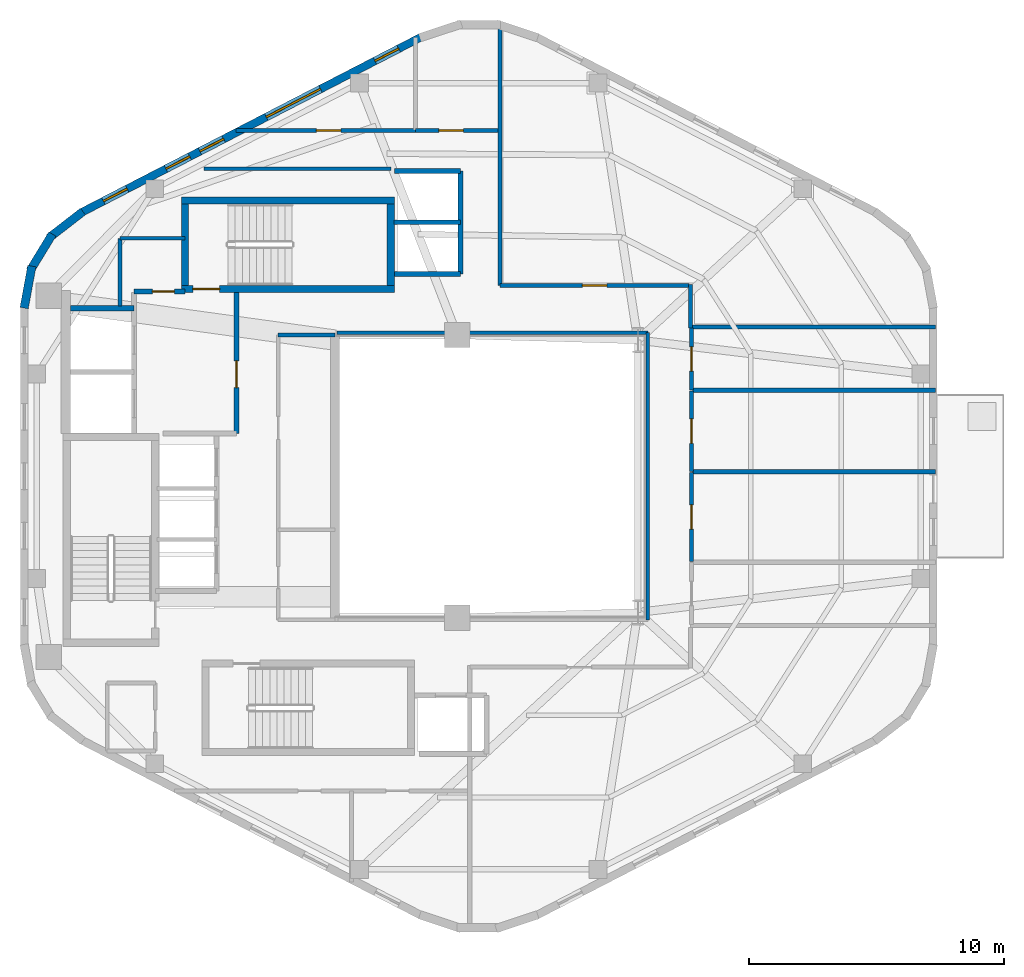
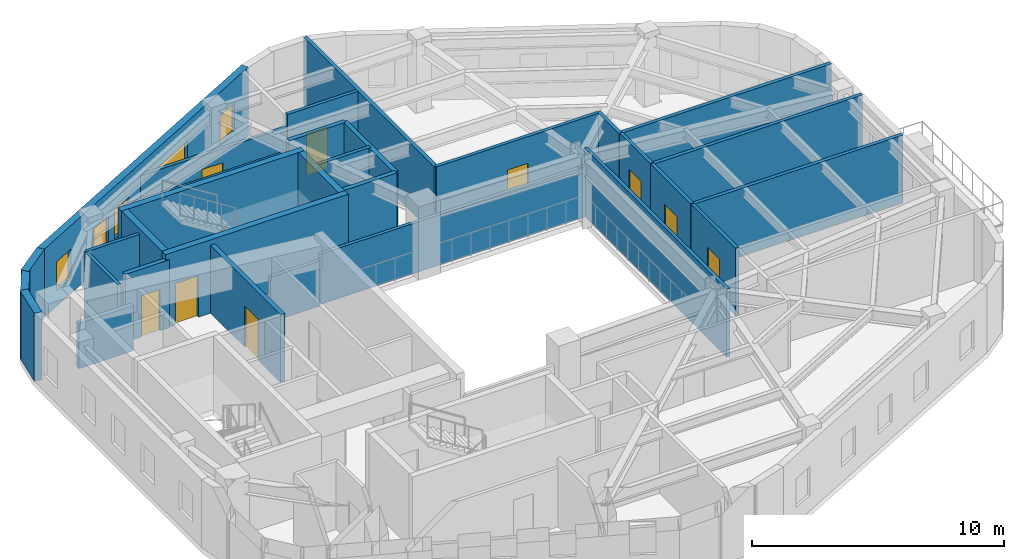
# One storey, part 4 of 7: 32 walls, 9 doors, 5 windows, 14 openings.
"""IFC4 building model written with IfcOpenShell, lengths in metres."""

from ifc_helpers import new_model, si_unit, direction, frame, frame_2d, origin, place, context, subcontext, project, spatial, rectangle, extrude, material, layer, layer_set, type_object, element, fill, save


model = new_model("IFC4")

# Units and contexts
model_context = context("Model", 3, precision=1e-05, world=origin(), true_north=direction((0.0, 1.0)))
body_context = subcontext(model_context, "Body", "Model", "MODEL_VIEW")
ifc_project = project(units=[si_unit("LENGTHUNIT", "METRE"), si_unit("AREAUNIT", "SQUARE_METRE"), si_unit("VOLUMEUNIT", "CUBIC_METRE"), si_unit("PLANEANGLEUNIT", "RADIAN"), si_unit("MASSUNIT", "GRAM", prefix="KILO"), si_unit("THERMODYNAMICTEMPERATUREUNIT", "KELVIN"), si_unit("POWERUNIT", "WATT")], contexts=[model_context])

# Site, building, storey
site_placement = place(None, origin())
site = spatial("IfcSite", under=ifc_project, at=site_placement, CompositionType="ELEMENT")
building_placement = place(site_placement, origin())
building = spatial("IfcBuilding", under=site, at=building_placement, Name="Skarre Station Tower", CompositionType="ELEMENT")
storey_placement = place(building_placement, frame((0.0, 0.0, 256.10009765625)))
storey = spatial("IfcBuildingStorey", under=building, at=storey_placement, Name="L70", CompositionType="ELEMENT", Elevation=256.10009765625)

# Walls
ifc_material_1 = material(Name="Acoustic Steel-Stud Gypsum Partition", Category="steel")
ifc_layer_1 = layer(ifc_material_1, 0.14990234375, Name="Acoustic Steel-Stud Gypsum Partition")
ifc_layer_set_1 = layer_set([ifc_layer_1], Name="Acoustic Steel-Stud Gypsum Partition")
wall_type_1 = type_object("IfcWallType", Name="Fire-Rated Corridor Acoustic Partition 150", PredefinedType="PARTITIONING", material=ifc_layer_set_1)
wall_1_placement = place(storey_placement, frame((27.550048828125, 29.550048828125, 0.0), z_axis=(0.0, 0.0, 1.0), x_axis=(-1.0, 0.0, 0.0)))
element("IfcWall", 1, at=wall_1_placement, inside=storey, type_object=wall_type_1, Name="L70 Interior Partition WL-PT-L70-RC2-N", PredefinedType="PARTITIONING", context=body_context, shape_type="SweptSolid", body=[
    extrude(rectangle(XDim=2.22998046875, YDim=0.14990234375, at=frame_2d((1.114990234375, 0.0))), origin(), (0.0, 0.0, 1.0), 2.18994140625),
])
wall_2_placement = place(storey_placement, frame((19.10009765625, 33.35009765625, 0.0), z_axis=(0.0, 0.0, 1.0), x_axis=(0.0, -1.0, 0.0)))
element("IfcWall", 2, at=wall_2_placement, inside=storey, type_object=wall_type_1, Name="L70 Interior Partition WL-PT-L70-CNW-W", PredefinedType="PARTITIONING", context=body_context, shape_type="SweptSolid", body=[
    extrude(rectangle(XDim=2.655029296875, YDim=0.14990234375, at=frame_2d((1.32763671875, 0.0))), origin(), (0.0, 0.0, 1.0), 3.289794921875),
])
wall_3_placement = place(storey_placement, frame((21.659912109375, 33.35009765625, 0.0), z_axis=(0.0, 0.0, 1.0), x_axis=(-1.0, 0.0, 0.0)))
element("IfcWall", 3, at=wall_3_placement, inside=storey, type_object=wall_type_1, Name="L70 Interior Partition WL-PT-L70-CNW-N1", PredefinedType="PARTITIONING", context=body_context, shape_type="SweptSolid", body=[
    extrude(rectangle(XDim=2.559814453125, YDim=0.14990234375, at=frame_2d((1.27978515625, 0.0))), origin(), (0.0, 0.0, 1.0), 3.289794921875),
])
wall_4_placement = place(storey_placement, frame((39.840087890625, 29.639892578125, 0.0), z_axis=(0.0, 0.0, 1.0), x_axis=(-1.0, 0.0, 0.0)))
element("IfcWall", 4, at=wall_4_placement, inside=storey, type_object=wall_type_1, Name="L70 Interior Partition WL-PT-L70-ATRW-N", PredefinedType="PARTITIONING", context=body_context, shape_type="SweptSolid", body=[
    extrude(rectangle(XDim=12.203125, YDim=0.14990234375, at=frame_2d((6.1015625, 0.0))), origin(), (0.0, 0.0, 1.0), 2.430908203125),
])
wall_5_placement = place(storey_placement, frame((39.840087890625, 18.360107421875, 0.0), z_axis=(0.0, 0.0, 1.0), x_axis=(0.0, 1.0, 0.0)))
element("IfcWall", 5, at=wall_5_placement, inside=storey, type_object=wall_type_1, Name="L70 Interior Partition WL-PT-L70-ATRW-E", PredefinedType="PARTITIONING", context=body_context, shape_type="SweptSolid", body=[
    extrude(rectangle(XDim=11.27978515625, YDim=0.14990234375, at=frame_2d((5.639892578125, 0.0))), origin(), (0.0, 0.0, 1.0), 3.289794921875),
])

# Wall, opening, door
wall_6_placement = place(storey_placement, frame((30.7080078125, 37.580078125, 0.0), z_axis=(0.0, 0.0, 1.0), x_axis=(-1.0, 0.0, 0.0)))
wall_6 = element("IfcWall", 6, at=wall_6_placement, inside=storey, type_object=wall_type_1, Name="L70 Interior Partition WL-PT-L70-NWW1-CW", PredefinedType="PARTITIONING", context=body_context, shape_type="SweptSolid", body=[
    extrude(rectangle(XDim=7.0458984375, YDim=0.14990234375, at=frame_2d((3.52294921875, 0.0))), origin(), (0.0, 0.0, 1.0), 2.681884765625),
])
opening_1_placement = place(wall_6_placement, frame((2.925048828125, 0.0, 0.0)))
opening_1 = element("IfcOpeningElement", 7, at=opening_1_placement, cuts=wall_6, Name="Opening DR-FD60", PredefinedType="OPENING", context=body_context, shape_type="SweptSolid", body=[
    extrude(rectangle(XDim=0.9599609375, YDim=2.0, at=frame_2d((0.47998046875, 1.0))), frame((0.0, 0.0849609375, 0.0), z_axis=(0.0, -1.0, 0.0), x_axis=(1.0, 0.0, 0.0)), (0.0, 0.0, 1.0), 0.169921875),
])
ifc_material_2 = material(Name="Nordic White-Oak Veneer Solid-Core Fire Leaf", Category="wood")
door_type_1 = type_object("IfcDoorType", Name="Corridor Suite Entry Fire Door FD60 960x2150", OperationType="SINGLE_SWING_LEFT", PredefinedType="DOOR", material=ifc_material_2)
door_1_placement = place(opening_1_placement, origin())
door_1 = element("IfcDoor", 8, at=door_1_placement, inside=storey, type_object=door_type_1, Name="L70 NWW1 Entry Door", OperationType="SINGLE_SWING_LEFT", OverallHeight=2.0, OverallWidth=0.9599609375, PredefinedType="DOOR", context=body_context, shape_type="SweptSolid", body=[
    extrude(rectangle(XDim=0.9599609375, YDim=2.0, at=frame_2d((0.47998046875, 1.0))), frame((0.0, 0.02490234375, 0.0), z_axis=(0.0, -1.0, 0.0), x_axis=(1.0, 0.0, 0.0)), (0.0, 0.0, 1.0), 0.050048828125),
])
fill(opening_1, door_1)

wall_7_placement = place(storey_placement, frame((33.9619140625, 37.580078125, 0.0), z_axis=(0.0, 0.0, 1.0), x_axis=(-1.0, 0.0, 0.0)))
wall_7 = element("IfcWall", 9, at=wall_7_placement, inside=storey, type_object=wall_type_1, Name="L70 Interior Partition WL-PT-L70-NWW2-CW", PredefinedType="PARTITIONING", context=body_context, shape_type="SweptSolid", body=[
    extrude(rectangle(XDim=3.243896484375, YDim=0.14990234375, at=frame_2d((1.6220703125, 0.0))), origin(), (0.0, 0.0, 1.0), 3.289794921875),
])
opening_2_placement = place(wall_7_placement, frame((1.366943359375, 0.0, 0.0)))
opening_2 = element("IfcOpeningElement", 10, at=opening_2_placement, cuts=wall_7, Name="Opening DR-FD60", PredefinedType="OPENING", context=body_context, shape_type="SweptSolid", body=[
    extrude(rectangle(XDim=0.9599609375, YDim=2.0, at=frame_2d((0.47998046875, 1.0))), frame((0.0, 0.0849609375, 0.0), z_axis=(0.0, -1.0, 0.0), x_axis=(1.0, 0.0, 0.0)), (0.0, 0.0, 1.0), 0.169921875),
])
door_2_placement = place(opening_2_placement, origin())
door_2 = element("IfcDoor", 11, at=door_2_placement, inside=storey, type_object=door_type_1, Name="L70 NWW2 Entry Door", OperationType="SINGLE_SWING_LEFT", OverallHeight=2.0, OverallWidth=0.9599609375, PredefinedType="DOOR", context=body_context, shape_type="SweptSolid", body=[
    extrude(rectangle(XDim=0.9599609375, YDim=2.0, at=frame_2d((0.47998046875, 1.0))), frame((0.0, 0.02490234375, 0.0), z_axis=(0.0, -1.0, 0.0), x_axis=(1.0, 0.0, 0.0)), (0.0, 0.0, 1.0), 0.050048828125),
])
fill(opening_2, door_2)

# Wall
wall_8_placement = place(storey_placement, frame((41.52001953125, 29.820068359375, 0.0), z_axis=(0.0, 0.0, 1.0), x_axis=(0.0, 1.0, 0.0)))
element("IfcWall", 12, at=wall_8_placement, inside=storey, type_object=wall_type_1, Name="L70 Interior Partition WL-PT-L70-CORR-NER", PredefinedType="PARTITIONING", context=body_context, shape_type="SweptSolid", body=[
    extrude(rectangle(XDim=1.719970703125, YDim=0.14990234375, at=frame_2d((0.85986328125, 0.0))), origin(), (0.0, 0.0, 1.0), 3.289794921875),
])

# Wall, opening, door
wall_9_placement = place(storey_placement, frame((41.4599609375, 31.5, 0.0), z_axis=(0.0, 0.0, 1.0), x_axis=(-1.0, 0.0, 0.0)))
wall_9 = element("IfcWall", 13, at=wall_9_placement, inside=storey, type_object=wall_type_1, Name="L70 Interior Partition WL-PT-L70-NW1-CW", PredefinedType="PARTITIONING", context=body_context, shape_type="SweptSolid", body=[
    extrude(rectangle(XDim=7.419921875, YDim=0.14990234375, at=frame_2d((3.7099609375, 0.0))), origin(), (0.0, 0.0, 1.0), 3.289794921875),
])
opening_3_placement = place(wall_9_placement, frame((3.22998046875, 0.0, 0.0)))
opening_3 = element("IfcOpeningElement", 14, at=opening_3_placement, cuts=wall_9, Name="Opening DR-FD60", PredefinedType="OPENING", context=body_context, shape_type="SweptSolid", body=[
    extrude(rectangle(XDim=0.9599609375, YDim=2.0, at=frame_2d((0.47998046875, 1.0))), frame((0.0, 0.0849609375, 0.0), z_axis=(0.0, -1.0, 0.0), x_axis=(1.0, 0.0, 0.0)), (0.0, 0.0, 1.0), 0.169921875),
])
door_3_placement = place(opening_3_placement, origin())
door_3 = element("IfcDoor", 15, at=door_3_placement, inside=storey, type_object=door_type_1, Name="L70 NW1 Entry Door", OperationType="SINGLE_SWING_LEFT", OverallHeight=2.0, OverallWidth=0.9599609375, PredefinedType="DOOR", context=body_context, shape_type="SweptSolid", body=[
    extrude(rectangle(XDim=0.9599609375, YDim=2.0, at=frame_2d((0.47998046875, 1.0))), frame((0.0, 0.02490234375, 0.0), z_axis=(0.0, -1.0, 0.0), x_axis=(1.0, 0.0, 0.0)), (0.0, 0.0, 1.0), 0.050048828125),
])
fill(opening_3, door_3)

wall_10_placement = place(storey_placement, frame((41.56005859375, 20.64208984375, 0.0), z_axis=(0.0, 0.0, 1.0), x_axis=(0.0, 1.0, 0.0)))
wall_10 = element("IfcWall", 16, at=wall_10_placement, inside=storey, type_object=wall_type_1, Name="L70 Interior Partition WL-PT-L70-EW2-CW", PredefinedType="PARTITIONING", context=body_context, shape_type="SweptSolid", body=[
    extrude(rectangle(XDim=3.514892578125, YDim=0.14990234375, at=frame_2d((1.75732421875, 0.0))), origin(), (0.0, 0.0, 1.0), 3.289794921875),
])
opening_4_placement = place(wall_10_placement, frame((1.278076171875, 0.0, 0.0)))
opening_4 = element("IfcOpeningElement", 17, at=opening_4_placement, cuts=wall_10, Name="Opening DR-FD60", PredefinedType="OPENING", context=body_context, shape_type="SweptSolid", body=[
    extrude(rectangle(XDim=0.9599609375, YDim=2.0, at=frame_2d((0.47998046875, 1.0))), frame((0.0, 0.0849609375, 0.0), z_axis=(0.0, -1.0, 0.0), x_axis=(1.0, 0.0, 0.0)), (0.0, 0.0, 1.0), 0.169921875),
])
door_4_placement = place(opening_4_placement, origin())
door_4 = element("IfcDoor", 18, at=door_4_placement, inside=storey, type_object=door_type_1, Name="L70 EW2 Entry Door", OperationType="SINGLE_SWING_LEFT", OverallHeight=2.0, OverallWidth=0.9599609375, PredefinedType="DOOR", context=body_context, shape_type="SweptSolid", body=[
    extrude(rectangle(XDim=0.9599609375, YDim=2.0, at=frame_2d((0.47998046875, 1.0))), frame((0.0, 0.02490234375, 0.0), z_axis=(0.0, -1.0, 0.0), x_axis=(1.0, 0.0, 0.0)), (0.0, 0.0, 1.0), 0.050048828125),
])
fill(opening_4, door_4)

wall_11_placement = place(storey_placement, frame((41.56005859375, 24.193115234375, 0.0), z_axis=(0.0, 0.0, 1.0), x_axis=(0.0, 1.0, 0.0)))
wall_11 = element("IfcWall", 19, at=wall_11_placement, inside=storey, type_object=wall_type_1, Name="L70 Interior Partition WL-PT-L70-EW3-CW", PredefinedType="PARTITIONING", context=body_context, shape_type="SweptSolid", body=[
    extrude(rectangle(XDim=3.164794921875, YDim=0.14990234375, at=frame_2d((1.58251953125, 0.0))), origin(), (0.0, 0.0, 1.0), 3.289794921875),
])
opening_5_placement = place(wall_11_placement, frame((1.10302734375, 0.0, 0.0)))
opening_5 = element("IfcOpeningElement", 20, at=opening_5_placement, cuts=wall_11, Name="Opening DR-FD60", PredefinedType="OPENING", context=body_context, shape_type="SweptSolid", body=[
    extrude(rectangle(XDim=0.9599609375, YDim=2.0, at=frame_2d((0.47998046875, 1.0))), frame((0.0, 0.0849609375, 0.0), z_axis=(0.0, -1.0, 0.0), x_axis=(1.0, 0.0, 0.0)), (0.0, 0.0, 1.0), 0.169921875),
])
door_5_placement = place(opening_5_placement, origin())
door_5 = element("IfcDoor", 21, at=door_5_placement, inside=storey, type_object=door_type_1, Name="L70 EW3 Entry Door", OperationType="SINGLE_SWING_LEFT", OverallHeight=2.0, OverallWidth=0.9599609375, PredefinedType="DOOR", context=body_context, shape_type="SweptSolid", body=[
    extrude(rectangle(XDim=0.9599609375, YDim=2.0, at=frame_2d((0.47998046875, 1.0))), frame((0.0, 0.02490234375, 0.0), z_axis=(0.0, -1.0, 0.0), x_axis=(1.0, 0.0, 0.0)), (0.0, 0.0, 1.0), 0.050048828125),
])
fill(opening_5, door_5)

wall_12_placement = place(storey_placement, frame((41.56005859375, 27.39404296875, 0.0), z_axis=(0.0, 0.0, 1.0), x_axis=(0.0, 1.0, 0.0)))
wall_12 = element("IfcWall", 22, at=wall_12_placement, inside=storey, type_object=wall_type_1, Name="L70 Interior Partition WL-PT-L70-EW4-CW", PredefinedType="PARTITIONING", context=body_context, shape_type="SweptSolid", body=[
    extrude(rectangle(XDim=2.426025390625, YDim=0.14990234375, at=frame_2d((1.212890625, 0.0))), origin(), (0.0, 0.0, 1.0), 3.289794921875),
])
opening_6_placement = place(wall_12_placement, frame((0.73291015625, 0.0, 0.0)))
opening_6 = element("IfcOpeningElement", 23, at=opening_6_placement, cuts=wall_12, Name="Opening DR-FD60", PredefinedType="OPENING", context=body_context, shape_type="SweptSolid", body=[
    extrude(rectangle(XDim=0.9599609375, YDim=2.0, at=frame_2d((0.47998046875, 1.0))), frame((0.0, 0.0849609375, 0.0), z_axis=(0.0, -1.0, 0.0), x_axis=(1.0, 0.0, 0.0)), (0.0, 0.0, 1.0), 0.169921875),
])
door_6_placement = place(opening_6_placement, origin())
door_6 = element("IfcDoor", 24, at=door_6_placement, inside=storey, type_object=door_type_1, Name="L70 EW4 Entry Door", OperationType="SINGLE_SWING_LEFT", OverallHeight=2.0, OverallWidth=0.9599609375, PredefinedType="DOOR", context=body_context, shape_type="SweptSolid", body=[
    extrude(rectangle(XDim=0.9599609375, YDim=2.0, at=frame_2d((0.47998046875, 1.0))), frame((0.0, 0.02490234375, 0.0), z_axis=(0.0, -1.0, 0.0), x_axis=(1.0, 0.0, 0.0)), (0.0, 0.0, 1.0), 0.050048828125),
])
fill(opening_6, door_6)

# Walls
wall_13_placement = place(storey_placement, frame((29.7529296875, 36.080078125, 0.0), z_axis=(0.0, 0.0, 1.0), x_axis=(-1.0, 0.0, 0.0)))
element("IfcWall", 25, at=wall_13_placement, inside=storey, type_object=wall_type_1, Name="L70 Interior Partition WL-PT-L70-CSEAL-1", PredefinedType="PARTITIONING", context=body_context, shape_type="SweptSolid", body=[
    extrude(rectangle(XDim=7.35302734375, YDim=0.14990234375, at=frame_2d((3.676513671875, 0.0))), origin(), (0.0, 0.0, 1.0), 2.681884765625),
])
ifc_material_3 = material(Name="Precast concrete C45/55", Category="concrete")
ifc_layer_2 = layer(ifc_material_3, 0.330078125, Name="Precast concrete C45/55")
ifc_layer_set_2 = layer_set([ifc_layer_2], Name="Precast concrete C45/55")
wall_type_2 = type_object("IfcWallType", Name="Nordic Rounded Corner Precast Wall 330", PredefinedType="STANDARD", material=ifc_layer_set_2)
wall_14_placement = place(storey_placement, frame((15.337890625, 30.60791015625, 0.0), z_axis=(0.0, 0.0, 1.0), x_axis=(0.180832605401, 0.983513888475, 0.0)))
element("IfcWall", 26, at=wall_14_placement, inside=storey, type_object=wall_type_2, Name="L70 Rounded Corner Precast Wall F2-1", PredefinedType="STANDARD", context=body_context, shape_type="SweptSolid", body=[
    extrude(rectangle(XDim=1.6767578125, YDim=0.330078125, at=frame_2d((0.83837890625, 0.0))), origin(), (0.0, 0.0, 1.0), 3.289794921875),
])
wall_15_placement = place(storey_placement, frame((15.573974609375, 32.08203125, 0.0), z_axis=(0.0, 0.0, 1.0), x_axis=(0.520325409202, 0.853968072318, 0.0)))
element("IfcWall", 27, at=wall_15_placement, inside=storey, type_object=wall_type_2, Name="L70 Rounded Corner Precast Wall F2-2", PredefinedType="STANDARD", context=body_context, shape_type="SweptSolid", body=[
    extrude(rectangle(XDim=1.677978515625, YDim=0.330078125, at=frame_2d((0.8388671875, 0.0))), origin(), (0.0, 0.0, 1.0), 3.289794921875),
])
wall_16_placement = place(storey_placement, frame((16.322021484375, 33.375, 0.0), z_axis=(0.0, 0.0, 1.0), x_axis=(0.790691856293, 0.61221433207, 0.0)))
element("IfcWall", 28, at=wall_16_placement, inside=storey, type_object=wall_type_2, Name="L70 Rounded Corner Precast Wall F2-3", PredefinedType="STANDARD", context=body_context, shape_type="SweptSolid", body=[
    extrude(rectangle(XDim=1.67578125, YDim=0.330078125, at=frame_2d((0.837890625, 0.0))), origin(), (0.0, 0.0, 1.0), 3.289794921875),
])

# Wall, openings, windows
ifc_layer_3 = layer(ifc_material_3, 0.31005859375, Name="Precast concrete C45/55")
ifc_layer_set_3 = layer_set([ifc_layer_3], Name="Precast concrete C45/55")
wall_type_3 = type_object("IfcWallType", Name="Nordic Upper-Zone Precast Facet Wall 310", PredefinedType="STANDARD", material=ifc_layer_set_3)
wall_17_placement = place(storey_placement, frame((17.56591796875, 34.35400390625, 0.0), z_axis=(0.0, 0.0, 1.0), x_axis=(0.888581481622, 0.458718814218, 0.0)))
wall_17 = element("IfcWall", 29, at=wall_17_placement, inside=storey, type_object=wall_type_3, Name="L70 Facet 1 Nordic Precast Masonry Wall", PredefinedType="STANDARD", context=body_context, shape_type="SweptSolid", body=[
    extrude(rectangle(XDim=15.076904296875, YDim=0.31005859375, at=frame_2d((7.53857421875, 0.0))), origin(), (0.0, 0.0, 1.0), 3.289794921875),
])
opening_7_placement = place(wall_17_placement, frame((0.998046875, 0.0, 0.75)))
opening_7 = element("IfcOpeningElement", 30, at=opening_7_placement, cuts=wall_17, Name="Opening WN-SLT", PredefinedType="OPENING", context=body_context, shape_type="SweptSolid", body=[
    extrude(rectangle(XDim=1.050048828125, YDim=1.39990234375, at=frame_2d((0.52490234375, 0.699951171875))), frame((0.0, 0.1650390625, 0.0), z_axis=(0.0, -1.0, 0.0), x_axis=(1.0, 0.0, 0.0)), (0.0, 0.0, 1.0), 0.330078125),
])
opening_8_placement = place(wall_17_placement, frame((3.762939453125, 0.0, 0.75)))
opening_8 = element("IfcOpeningElement", 31, at=opening_8_placement, cuts=wall_17, Name="Opening WN-SLT", PredefinedType="OPENING", context=body_context, shape_type="SweptSolid", body=[
    extrude(rectangle(XDim=1.050048828125, YDim=1.39990234375, at=frame_2d((0.52490234375, 0.699951171875))), frame((0.0, 0.1650390625, 0.0), z_axis=(0.0, -1.0, 0.0), x_axis=(1.0, 0.0, 0.0)), (0.0, 0.0, 1.0), 0.330078125),
])
opening_9_placement = place(wall_17_placement, frame((5.264892578125, 0.0, 0.75)))
opening_9 = element("IfcOpeningElement", 32, at=opening_9_placement, cuts=wall_17, Name="Opening WN-SLT", PredefinedType="OPENING", context=body_context, shape_type="SweptSolid", body=[
    extrude(rectangle(XDim=1.050048828125, YDim=1.39990234375, at=frame_2d((0.52490234375, 0.699951171875))), frame((0.0, 0.1650390625, 0.0), z_axis=(0.0, -1.0, 0.0), x_axis=(1.0, 0.0, 0.0)), (0.0, 0.0, 1.0), 0.330078125),
])
opening_10_placement = place(wall_17_placement, frame((8.197021484375, 0.0, 0.75)))
opening_10 = element("IfcOpeningElement", 33, at=opening_10_placement, cuts=wall_17, Name="Opening WN-Z4A", PredefinedType="OPENING", context=body_context, shape_type="SweptSolid", body=[
    extrude(rectangle(XDim=2.39990234375, YDim=1.60009765625, at=frame_2d((1.199951171875, 0.800048828125))), frame((0.0, 0.1650390625, 0.0), z_axis=(0.0, -1.0, 0.0), x_axis=(1.0, 0.0, 0.0)), (0.0, 0.0, 1.0), 0.330078125),
])
opening_11_placement = place(wall_17_placement, frame((13.00390625, 0.0, 0.75)))
opening_11 = element("IfcOpeningElement", 34, at=opening_11_placement, cuts=wall_17, Name="Opening WN-SLT", PredefinedType="OPENING", context=body_context, shape_type="SweptSolid", body=[
    extrude(rectangle(XDim=1.050048828125, YDim=1.39990234375, at=frame_2d((0.52490234375, 0.699951171875))), frame((0.0, 0.1650390625, 0.0), z_axis=(0.0, -1.0, 0.0), x_axis=(1.0, 0.0, 0.0)), (0.0, 0.0, 1.0), 0.330078125),
])
ifc_material_4 = material(Name="Low-Iron Triple Glazing with Bronze Anodized Frame", Category="glass")
window_type_1 = type_object("IfcWindowType", Name="Nordic Corner Slot Window 1050x1400", PartitioningType="SINGLE_PANEL", PredefinedType="WINDOW", material=ifc_material_4)
window_1_placement = place(opening_7_placement, origin())
window_1 = element("IfcWindow", 35, at=window_1_placement, inside=storey, type_object=window_type_1, Name="L70 Facade Window WL-FAC-L70-F1-1", OverallHeight=1.39990234375, OverallWidth=1.050048828125, PartitioningType="SINGLE_PANEL", PredefinedType="WINDOW", context=body_context, shape_type="SweptSolid", body=[
    extrude(rectangle(XDim=1.050048828125, YDim=1.39990234375, at=frame_2d((0.52490234375, 0.699951171875))), frame((0.0, 0.030029296875, 0.0), z_axis=(0.0, -1.0, 0.0), x_axis=(1.0, 0.0, 0.0)), (0.0, 0.0, 1.0), 0.06005859375),
])
fill(opening_7, window_1)
window_2_placement = place(opening_8_placement, origin())
window_2 = element("IfcWindow", 36, at=window_2_placement, inside=storey, type_object=window_type_1, Name="L70 Facade Window WL-FAC-L70-F1-2", OverallHeight=1.39990234375, OverallWidth=1.050048828125, PartitioningType="SINGLE_PANEL", PredefinedType="WINDOW", context=body_context, shape_type="SweptSolid", body=[
    extrude(rectangle(XDim=1.050048828125, YDim=1.39990234375, at=frame_2d((0.52490234375, 0.699951171875))), frame((0.0, 0.030029296875, 0.0), z_axis=(0.0, -1.0, 0.0), x_axis=(1.0, 0.0, 0.0)), (0.0, 0.0, 1.0), 0.06005859375),
])
fill(opening_8, window_2)
window_3_placement = place(opening_9_placement, origin())
window_3 = element("IfcWindow", 37, at=window_3_placement, inside=storey, type_object=window_type_1, Name="L70 Facade Window WL-FAC-L70-F1-3", OverallHeight=1.39990234375, OverallWidth=1.050048828125, PartitioningType="SINGLE_PANEL", PredefinedType="WINDOW", context=body_context, shape_type="SweptSolid", body=[
    extrude(rectangle(XDim=1.050048828125, YDim=1.39990234375, at=frame_2d((0.52490234375, 0.699951171875))), frame((0.0, 0.030029296875, 0.0), z_axis=(0.0, -1.0, 0.0), x_axis=(1.0, 0.0, 0.0)), (0.0, 0.0, 1.0), 0.06005859375),
])
fill(opening_9, window_3)
window_4_placement = place(opening_11_placement, origin())
window_4 = element("IfcWindow", 38, at=window_4_placement, inside=storey, type_object=window_type_1, Name="L70 Facade Window WL-FAC-L70-F1-5", OverallHeight=1.39990234375, OverallWidth=1.050048828125, PartitioningType="SINGLE_PANEL", PredefinedType="WINDOW", context=body_context, shape_type="SweptSolid", body=[
    extrude(rectangle(XDim=1.050048828125, YDim=1.39990234375, at=frame_2d((0.52490234375, 0.699951171875))), frame((0.0, 0.030029296875, 0.0), z_axis=(0.0, -1.0, 0.0), x_axis=(1.0, 0.0, 0.0)), (0.0, 0.0, 1.0), 0.06005859375),
])
fill(opening_11, window_4)
window_type_2 = type_object("IfcWindowType", Name="Nordic Crown Panorama Window 2400x1600", PartitioningType="SINGLE_PANEL", PredefinedType="WINDOW", material=ifc_material_4)
window_5_placement = place(opening_10_placement, origin())
window_5 = element("IfcWindow", 39, at=window_5_placement, inside=storey, type_object=window_type_2, Name="L70 Facade Window WL-FAC-L70-F1-4", OverallHeight=1.60009765625, OverallWidth=2.39990234375, PartitioningType="SINGLE_PANEL", PredefinedType="WINDOW", context=body_context, shape_type="SweptSolid", body=[
    extrude(rectangle(XDim=2.39990234375, YDim=1.60009765625, at=frame_2d((1.199951171875, 0.800048828125))), frame((0.0, 0.030029296875, 0.0), z_axis=(0.0, -1.0, 0.0), x_axis=(1.0, 0.0, 0.0)), (0.0, 0.0, 1.0), 0.06005859375),
])
fill(opening_10, window_5)

# Wall, opening, door
ifc_material_5 = material(Name="Concrete C50/60", Category="concrete")
ifc_layer_4 = layer(ifc_material_5, 0.280029296875, Name="Concrete C50/60")
ifc_layer_set_4 = layer_set([ifc_layer_4], Name="Concrete C50/60")
wall_type_4 = type_object("IfcWallType", Name="RC Core Shear Wall 280", PredefinedType="SHEAR", material=ifc_layer_set_4)
wall_18_placement = place(storey_placement, frame((21.52001953125, 31.360107421875, 0.0), z_axis=(0.0, 0.0, 1.0), x_axis=(1.0, 0.0, 0.0)))
wall_18 = element("IfcWall", 40, at=wall_18_placement, inside=storey, type_object=wall_type_4, Name="L70 Stair ST-3 South Shear Wall", PredefinedType="SHEAR", context=body_context, shape_type="SweptSolid", body=[
    extrude(rectangle(XDim=8.35986328125, YDim=0.280029296875, at=frame_2d((4.179931640625, 0.0))), origin(), (0.0, 0.0, 1.0), 3.5498046875),
])
opening_12_placement = place(wall_18_placement, frame((0.449951171875, 0.0, 0.0)))
opening_12 = element("IfcOpeningElement", 41, at=opening_12_placement, cuts=wall_18, Name="Opening DR-FD90", PredefinedType="OPENING", context=body_context, shape_type="SweptSolid", body=[
    extrude(rectangle(XDim=1.050048828125, YDim=2.0, at=frame_2d((0.52490234375, 1.0))), frame((0.0, 0.14990234375, 0.0), z_axis=(0.0, -1.0, 0.0), x_axis=(1.0, 0.0, 0.0)), (0.0, 0.0, 1.0), 0.300048828125),
])
ifc_material_6 = material(Name="Fire-Rated Insulated Steel Frame & Timber Core Leaf", Category="steel")
door_type_2 = type_object("IfcDoorType", Name="Stair & FSAE Lobby Fire Door FD90 1050x2150", OperationType="SINGLE_SWING_RIGHT", PredefinedType="DOOR", material=ifc_material_6)
door_7_placement = place(opening_12_placement, origin())
door_7 = element("IfcDoor", 42, at=door_7_placement, inside=storey, type_object=door_type_2, Name="L70 Stair ST-3 & FSAE Lobby Direct Exit Door", OperationType="SINGLE_SWING_LEFT", OverallHeight=2.0, OverallWidth=1.050048828125, PredefinedType="DOOR", context=body_context, shape_type="SweptSolid", body=[
    extrude(rectangle(XDim=1.050048828125, YDim=2.0, at=frame_2d((0.52490234375, 1.0))), frame((0.0, 0.02490234375, 0.0), z_axis=(0.0, -1.0, 0.0), x_axis=(1.0, 0.0, 0.0)), (0.0, 0.0, 1.0), 0.050048828125),
])
fill(opening_12, door_7)

# Walls
wall_19_placement = place(storey_placement, frame((29.8798828125, 34.840087890625, 0.0), z_axis=(0.0, 0.0, 1.0), x_axis=(-1.0, 0.0, 0.0)))
element("IfcWall", 43, at=wall_19_placement, inside=storey, type_object=wall_type_4, Name="L70 Stair ST-3 North Shear Wall", PredefinedType="SHEAR", context=body_context, shape_type="SweptSolid", body=[
    extrude(rectangle(XDim=8.35986328125, YDim=0.280029296875, at=frame_2d((4.179931640625, 0.0))), origin(), (0.0, 0.0, 1.0), 3.5498046875),
])
for number, where, z_axis, x_axis, name in (
    (44, (21.659912109375, 34.699951171875, 0.0), (0.0, 0.0, 1.0), (0.0, -1.0, 0.0), "L70 Stair ST-3 West Shear Wall"),
    (45, (29.739990234375, 31.5, 0.0), (0.0, 0.0, 1.0), (0.0, 1.0, 0.0), "L70 Stair ST-3 East Shear Wall"),
):
    element("IfcWall", number, at=place(storey_placement, frame(where, z_axis=z_axis, x_axis=x_axis)), inside=storey, type_object=wall_type_4, Name=name, PredefinedType="SHEAR", context=body_context, shape_type="SweptSolid", body=[
        extrude(rectangle(XDim=3.199951171875, YDim=0.280029296875, at=frame_2d((1.60009765625, 0.0))), origin(), (0.0, 0.0, 1.0), 3.5498046875),
    ])

# Wall, opening, door
ifc_material_7 = material(Name="Gypsum Concrete Shaft Assembly C30/37", Category="concrete")
ifc_layer_5 = layer(ifc_material_7, 0.199951171875, Name="Gypsum Concrete Shaft Assembly C30/37")
ifc_layer_set_5 = layer_set([ifc_layer_5], Name="Gypsum Concrete Shaft Assembly C30/37")
wall_type_5 = type_object("IfcWallType", Name="Shaft & Core Fire Partition 200", PredefinedType="PARTITIONING", material=ifc_layer_set_5)
wall_20_placement = place(storey_placement, frame((23.679931640625, 25.679931640625, 0.0), z_axis=(0.0, 0.0, 1.0), x_axis=(0.0, 1.0, 0.0)))
wall_20 = element("IfcWall", 46, at=wall_20_placement, inside=storey, type_object=wall_type_5, Name="L70 Interior Partition WL-PT-L70-FSAE-E", PredefinedType="PARTITIONING", context=body_context, shape_type="SweptSolid", body=[
    extrude(rectangle(XDim=5.5400390625, YDim=0.199951171875, at=frame_2d((2.77001953125, 0.0))), origin(), (0.0, 0.0, 1.0), 3.289794921875),
])
opening_13_placement = place(wall_20_placement, frame((1.800048828125, 0.0, 0.0)))
opening_13 = element("IfcOpeningElement", 47, at=opening_13_placement, cuts=wall_20, Name="Opening DR-FD90", PredefinedType="OPENING", context=body_context, shape_type="SweptSolid", body=[
    extrude(rectangle(XDim=1.050048828125, YDim=2.0, at=frame_2d((0.52490234375, 1.0))), frame((0.0, 0.10986328125, 0.0), z_axis=(0.0, -1.0, 0.0), x_axis=(1.0, 0.0, 0.0)), (0.0, 0.0, 1.0), 0.219970703125),
])
door_8_placement = place(opening_13_placement, origin())
door_8 = element("IfcDoor", 48, at=door_8_placement, inside=storey, type_object=door_type_2, Name="L70 FSAE Lobby Fire Door", OperationType="SINGLE_SWING_RIGHT", OverallHeight=2.0, OverallWidth=1.050048828125, PredefinedType="DOOR", context=body_context, shape_type="SweptSolid", body=[
    extrude(rectangle(XDim=1.050048828125, YDim=2.0, at=frame_2d((0.52490234375, 1.0))), frame((0.0, 0.02490234375, 0.0), z_axis=(0.0, -1.0, 0.0), x_axis=(1.0, 0.0, 0.0)), (0.0, 0.0, 1.0), 0.050048828125),
])
fill(opening_13, door_8)

wall_21_placement = place(storey_placement, frame((21.659912109375, 31.260009765625, 0.0), z_axis=(0.0, 0.0, 1.0), x_axis=(-1.0, 0.0, 0.0)))
wall_21 = element("IfcWall", 49, at=wall_21_placement, inside=storey, type_object=wall_type_5, Name="L70 Interior Partition WL-PT-L70-FSAE-N", PredefinedType="PARTITIONING", context=body_context, shape_type="SweptSolid", body=[
    extrude(rectangle(XDim=2.010009765625, YDim=0.199951171875, at=frame_2d((1.0048828125, 0.0))), origin(), (0.0, 0.0, 1.0), 3.289794921875),
])
opening_14_placement = place(wall_21_placement, frame((0.419921875, 0.0, 0.0)))
opening_14 = element("IfcOpeningElement", 50, at=opening_14_placement, cuts=wall_21, Name="Opening DR-SVC86", PredefinedType="OPENING", context=body_context, shape_type="SweptSolid", body=[
    extrude(rectangle(XDim=0.860107421875, YDim=2.0, at=frame_2d((0.43017578125, 1.0))), frame((0.0, 0.10986328125, 0.0), z_axis=(0.0, -1.0, 0.0), x_axis=(1.0, 0.0, 0.0)), (0.0, 0.0, 1.0), 0.219970703125),
])
ifc_material_8 = material(Name="Powder-Coated Hollow-Metal Acoustic Fire Leaf", Category="steel")
door_type_3 = type_object("IfcDoorType", Name="Compact Riser Fire Door FD60 860x2100", OperationType="SINGLE_SWING_LEFT", PredefinedType="DOOR", material=ifc_material_8)
door_9_placement = place(opening_14_placement, origin())
door_9 = element("IfcDoor", 51, at=door_9_placement, inside=storey, type_object=door_type_3, Name="L70 Core Service Room Lobby Door", OperationType="SINGLE_SWING_LEFT", OverallHeight=2.0, OverallWidth=0.860107421875, PredefinedType="DOOR", context=body_context, shape_type="SweptSolid", body=[
    extrude(rectangle(XDim=0.860107421875, YDim=2.0, at=frame_2d((0.43017578125, 1.0))), frame((0.0, 0.02490234375, 0.0), z_axis=(0.0, -1.0, 0.0), x_axis=(1.0, 0.0, 0.0)), (0.0, 0.0, 1.0), 0.050048828125),
])
fill(opening_14, door_9)

# Walls
wall_22_placement = place(storey_placement, frame((19.64990234375, 30.60009765625, 0.0), z_axis=(0.0, 0.0, 1.0), x_axis=(-1.0, 0.0, 0.0)))
element("IfcWall", 52, at=wall_22_placement, inside=storey, type_object=wall_type_5, Name="L70 Interior Partition WL-PT-L70-FF-N", PredefinedType="PARTITIONING", context=body_context, shape_type="SweptSolid", body=[
    extrude(rectangle(XDim=2.5, YDim=0.199951171875, at=frame_2d((1.25, 0.0))), origin(), (0.0, 0.0, 1.0), 2.18994140625),
])
wall_23_placement = place(storey_placement, frame((32.47998046875, 31.949951171875, 0.0), z_axis=(0.0, 0.0, 1.0), x_axis=(0.0, 1.0, 0.0)))
element("IfcWall", 53, at=wall_23_placement, inside=storey, type_object=wall_type_5, Name="L70 Interior Partition WL-PT-L70-EX-E", PredefinedType="PARTITIONING", context=body_context, shape_type="SweptSolid", body=[
    extrude(rectangle(XDim=4.050048828125, YDim=0.199951171875, at=frame_2d((2.02490234375, 0.0))), origin(), (0.0, 0.0, 1.0), 3.289794921875),
])
for number, where, z_axis, x_axis, name in (
    (54, (29.8798828125, 36.0, 0.0), (0.0, 0.0, 1.0), (1.0, 0.0, 0.0), "L70 Interior Partition WL-PT-L70-EX-N"),
    (55, (32.47998046875, 31.949951171875, 0.0), (0.0, 0.0, 1.0), (-1.0, 0.0, 0.0), "L70 Interior Partition WL-PT-L70-EX-S"),
):
    element("IfcWall", number, at=place(storey_placement, frame(where, z_axis=z_axis, x_axis=x_axis)), inside=storey, type_object=wall_type_5, Name=name, PredefinedType="PARTITIONING", context=body_context, shape_type="SweptSolid", body=[
        extrude(rectangle(XDim=2.60009765625, YDim=0.199951171875, at=frame_2d((1.300048828125, 0.0))), origin(), (0.0, 0.0, 1.0), 3.289794921875),
    ])
wall_24_placement = place(storey_placement, frame((29.875, 33.97998046875, 0.0), z_axis=(0.0, 0.0, 1.0), x_axis=(1.0, 0.0, 0.0)))
element("IfcWall", 56, at=wall_24_placement, inside=storey, type_object=wall_type_5, Name="L70 Interior Partition WL-PT-L70-EX-DIV", PredefinedType="PARTITIONING", context=body_context, shape_type="SweptSolid", body=[
    extrude(rectangle(XDim=2.60498046875, YDim=0.159912109375, at=frame_2d((1.302490234375, 0.0))), origin(), (0.0, 0.0, 1.0), 3.289794921875),
])
ifc_layer_6 = layer(ifc_material_1, 0.1650390625, Name="Acoustic Steel-Stud Gypsum Partition")
ifc_layer_set_6 = layer_set([ifc_layer_6], Name="Acoustic Steel-Stud Gypsum Partition")
wall_type_6 = type_object("IfcWallType", Name="Suite Demising Acoustic Partition 165", PredefinedType="PARTITIONING", material=ifc_layer_set_6)
wall_25_placement = place(storey_placement, frame((34.0400390625, 31.5, 0.0), z_axis=(0.0, 0.0, 1.0), x_axis=(0.0, 1.0, 0.0)))
element("IfcWall", 57, at=wall_25_placement, inside=storey, type_object=wall_type_6, Name="L70 Interior Partition WL-PT-L70-NW-WBND", PredefinedType="PARTITIONING", context=body_context, shape_type="SweptSolid", body=[
    extrude(rectangle(XDim=10.318115234375, YDim=0.1650390625, at=frame_2d((5.1591796875, 0.0))), origin(), (0.0, 0.0, 1.0), 3.289794921875),
])
wall_26_placement = place(storey_placement, frame((41.52001953125, 29.860107421875, 0.0), z_axis=(0.0, 0.0, 1.0), x_axis=(1.0, 0.0, 0.0)))
element("IfcWall", 58, at=wall_26_placement, inside=storey, type_object=wall_type_6, Name="L70 Interior Partition WL-PT-L70-EWB-N", PredefinedType="PARTITIONING", context=body_context, shape_type="SweptSolid", body=[
    extrude(rectangle(XDim=9.623046875, YDim=0.1650390625, at=frame_2d((4.8115234375, 0.0))), origin(), (0.0, 0.0, 1.0), 3.289794921875),
])
for number, where, z_axis, x_axis, name in (
    (59, (41.590087890625, 24.175048828125, 0.0), (0.0, 0.0, 1.0), (1.0, 0.0, 0.0), "L70 Interior Partition WL-PT-L70-EW-P2"),
    (60, (41.590087890625, 27.3759765625, 0.0), (0.0, 0.0, 1.0), (1.0, 0.0, 0.0), "L70 Interior Partition WL-PT-L70-EW-P3"),
):
    element("IfcWall", number, at=place(storey_placement, frame(where, z_axis=z_axis, x_axis=x_axis)), inside=storey, type_object=wall_type_6, Name=name, PredefinedType="PARTITIONING", context=body_context, shape_type="SweptSolid", body=[
        extrude(rectangle(XDim=9.552978515625, YDim=0.1650390625, at=frame_2d((4.7763671875, 0.0))), origin(), (0.0, 0.0, 1.0), 3.289794921875),
    ])

save(model, "model.ifc")
